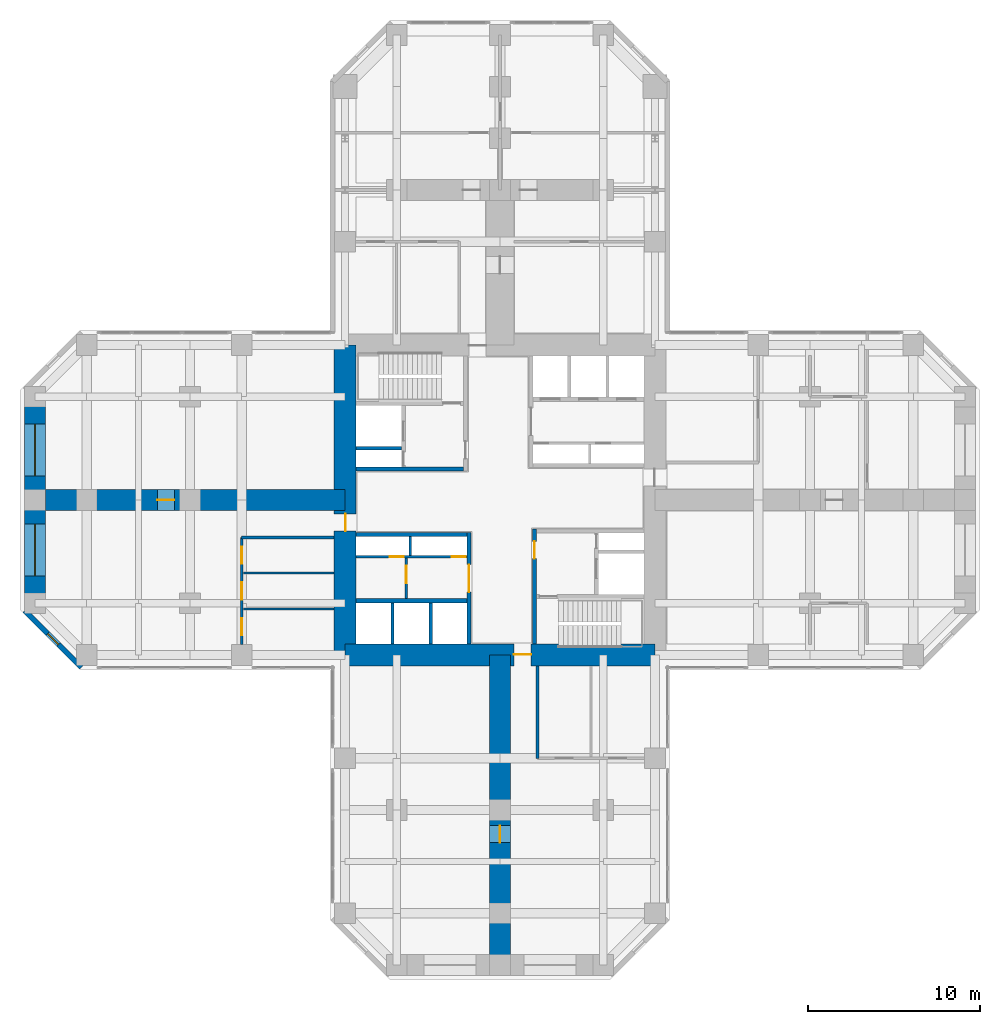
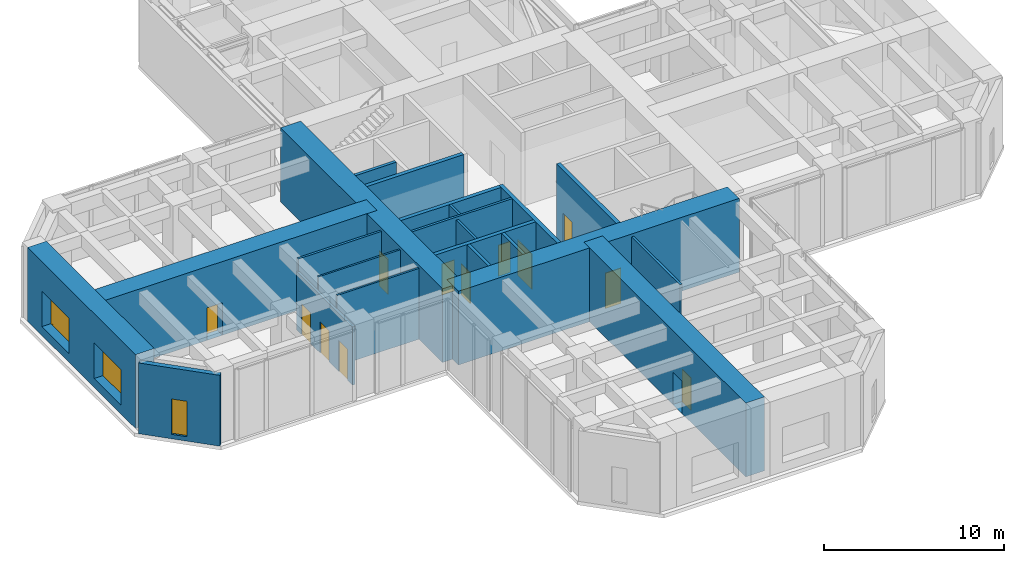
# One storey, part 7 of 11: 22 walls, 12 doors, 3 windows, 15 openings.
"""IFC4 building model written with IfcOpenShell, lengths in metres."""

from ifc_helpers import new_model, si_unit, direction, frame, frame_2d, origin, place, context, subcontext, project, spatial, rectangle, hollow_rectangle, extrude, material, layer, layer_set, constituent, constituent_set, type_object, element, fill, save


model = new_model("IFC4")

# Units and contexts
model_context = context("Model", 3, precision=1e-05, world=origin(), true_north=direction((0.0, 1.0)))
body_context = subcontext(model_context, "Body", "Model", "MODEL_VIEW")
ifc_project = project(units=[si_unit("LENGTHUNIT", "METRE"), si_unit("AREAUNIT", "SQUARE_METRE"), si_unit("VOLUMEUNIT", "CUBIC_METRE"), si_unit("PLANEANGLEUNIT", "RADIAN"), si_unit("MASSUNIT", "GRAM", prefix="KILO")], contexts=[model_context])

# Site, building, storey
site_placement = place(None, origin())
site = spatial("IfcSite", under=ifc_project, at=site_placement, CompositionType="ELEMENT")
building_placement = place(site_placement, origin())
building = spatial("IfcBuilding", under=site, at=building_placement, Name="Torre Cruceta", CompositionType="ELEMENT")
storey_placement = place(building_placement, frame((0.0, 0.0, 95.5)))
storey = spatial("IfcBuildingStorey", under=building, at=storey_placement, Name="L23", CompositionType="ELEMENT", Elevation=95.5)

# Wall
ifc_material_1 = material(Name="Concrete G60 (fck 60 MPa)", Category="concrete")
ifc_layer_1 = layer(ifc_material_1, 0.25)
ifc_layer_set_1 = layer_set([ifc_layer_1], Name="Concrete G60 (fck 60 MPa)")
wall_type_1 = type_object("IfcWallType", Name="CORE INNER WALL 250 G60", PredefinedType="SHEAR", material=ifc_layer_set_1)
wall_1_placement = place(storey_placement, frame((-2.125, 1.800048828125, 0.0), z_axis=(0.0, 0.0, 1.0), x_axis=(-1.0, 0.0, 0.0)))
element("IfcWall", 1, at=wall_1_placement, inside=storey, type_object=wall_type_1, Name="CW4 L23 NW-CV", PredefinedType="SHEAR", context=body_context, shape_type="SweptSolid", body=[
    extrude(rectangle(XDim=6.22509765625, YDim=0.25, at=frame_2d((3.112548828125, 0.0))), origin(), (0.0, 0.0, 1.0), 5.0),
])

# Wall, opening, door
wall_2_placement = place(storey_placement, frame((-1.800048828125, -1.875, 0.0), z_axis=(0.0, 0.0, 1.0), x_axis=(0.0, -1.0, 0.0)))
wall_2 = element("IfcWall", 2, at=wall_2_placement, inside=storey, type_object=wall_type_1, Name="CW4 L23 SW-CU", PredefinedType="SHEAR", context=body_context, shape_type="SweptSolid", body=[
    extrude(rectangle(XDim=6.47509765625, YDim=0.25, at=frame_2d((3.237548828125, 0.0))), origin(), (0.0, 0.0, 1.0), 5.0),
])
opening_1_placement = place(wall_2_placement, frame((1.875, 0.0, 0.0)))
opening_1 = element("IfcOpeningElement", 3, at=opening_1_placement, cuts=wall_2, Name="Opening D15", PredefinedType="OPENING", context=body_context, shape_type="SweptSolid", body=[
    extrude(rectangle(XDim=1.60009765625, YDim=2.39990234375, at=frame_2d((0.800048828125, 1.199951171875))), frame((0.0, 0.135009765625, 0.0), z_axis=(0.0, -1.0, 0.0), x_axis=(1.0, 0.0, 0.0)), (0.0, 0.0, 1.0), 0.27001953125),
])
ifc_material_2 = material(Name="Steel DX51D", Category="steel")
ifc_constituent_1 = constituent(ifc_material_2, Name="Leaf and frame")
ifc_material_3 = material(Name="Polyester powder coating", Category="paint")
ifc_constituent_2 = constituent(ifc_material_3, Name="Finish")
ifc_constituent_set_1 = constituent_set(constituents=[ifc_constituent_1, ifc_constituent_2], Name="Steel fire door")
door_type_1 = type_object("IfcDoorType", Name="CORE ROOM DOUBLE DOOR 1600X2400", OperationType="DOUBLE_DOOR_SINGLE_SWING", PredefinedType="DOOR", material=ifc_constituent_set_1)
door_1_placement = place(opening_1_placement, frame((1.60009765625, 0.0, 0.0), z_axis=(0.0, 0.0, 1.0), x_axis=(-1.0, 0.0, 0.0)))
door_1 = element("IfcDoor", 4, at=door_1_placement, inside=storey, type_object=door_type_1, Name="D15 L23 SW-LOBBY", OperationType="DOUBLE_DOOR_SINGLE_SWING", OverallHeight=2.39990234375, OverallWidth=1.60009765625, PredefinedType="DOOR", context=body_context, shape_type="SweptSolid", body=[
    extrude(rectangle(XDim=1.60009765625, YDim=2.39990234375, at=frame_2d((0.800048828125, 1.199951171875))), frame((0.0, 0.025146484375, 0.0), z_axis=(0.0, -1.0, 0.0), x_axis=(1.0, 0.0, 0.0)), (0.0, 0.0, 1.0), 0.050048828125),
])
fill(opening_1, door_1)

# Walls
for number, where, z_axis, x_axis, name in (
    (5, (-1.925048828125, -2.0, 0.0), (0.0, 0.0, 1.0), (-1.0, 0.0, 0.0), "CW4 L23 SW-CV"),
    (6, (-1.925048828125, -5.85009765625, 0.0), (0.0, 0.0, 1.0), (-1.0, 0.0, 0.0), "CW4 L23 SW-LV"),
):
    element("IfcWall", number, at=place(storey_placement, frame(where, z_axis=z_axis, x_axis=x_axis)), inside=storey, type_object=wall_type_1, Name=name, PredefinedType="SHEAR", context=body_context, shape_type="SweptSolid", body=[
        extrude(rectangle(XDim=6.425048828125, YDim=0.25, at=frame_2d((3.21240234375, 0.0))), origin(), (0.0, 0.0, 1.0), 5.0),
    ])

# Wall, opening, door
wall_3_placement = place(storey_placement, frame((2.0, -1.675048828125, 0.0), z_axis=(0.0, 0.0, 1.0), x_axis=(0.0, -1.0, 0.0)))
wall_3 = element("IfcWall", 7, at=wall_3_placement, inside=storey, type_object=wall_type_1, Name="CW4 L23 SE-CU", PredefinedType="SHEAR", context=body_context, shape_type="SweptSolid", body=[
    extrude(rectangle(XDim=6.675048828125, YDim=0.25, at=frame_2d((3.33740234375, 0.0))), origin(), (0.0, 0.0, 1.0), 5.0),
])
opening_2_placement = place(wall_3_placement, frame((0.72509765625, 0.0, 0.0)))
opening_2 = element("IfcOpeningElement", 8, at=opening_2_placement, cuts=wall_3, Name="Opening D3", PredefinedType="OPENING", context=body_context, shape_type="SweptSolid", body=[
    extrude(rectangle(XDim=1.0, YDim=2.10009765625, at=frame_2d((0.5, 1.050048828125))), frame((0.0, 0.135009765625, 0.0), z_axis=(0.0, -1.0, 0.0), x_axis=(1.0, 0.0, 0.0)), (0.0, 0.0, 1.0), 0.27001953125),
])
ifc_material_4 = material(Name="Steel DX51D", Category="steel")
ifc_constituent_3 = constituent(ifc_material_4, Name="Leaf and frame")
ifc_material_5 = material(Name="Polyester powder coating", Category="paint")
ifc_constituent_4 = constituent(ifc_material_5, Name="Finish")
ifc_constituent_set_2 = constituent_set(constituents=[ifc_constituent_3, ifc_constituent_4], Name="Steel fire door")
door_type_2 = type_object("IfcDoorType", Name="FIRE DOOR 1000X2100", OperationType="SINGLE_SWING_LEFT", PredefinedType="DOOR", material=ifc_constituent_set_2)
door_2_placement = place(opening_2_placement, origin())
door_2 = element("IfcDoor", 9, at=door_2_placement, inside=storey, type_object=door_type_2, Name="D3 L23 SE-LOBBY", OperationType="SINGLE_SWING_LEFT", OverallHeight=2.10009765625, OverallWidth=1.0, PredefinedType="DOOR", context=body_context, shape_type="SweptSolid", body=[
    extrude(rectangle(XDim=1.0, YDim=2.10009765625, at=frame_2d((0.5, 1.050048828125))), frame((0.0, 0.02490234375, 0.0), z_axis=(0.0, -1.0, 0.0), x_axis=(1.0, 0.0, 0.0)), (0.0, 0.0, 1.0), 0.050048828125),
])
fill(opening_2, door_2)

ifc_material_6 = material(Name="Concrete G60 (fck 60 MPa)", Category="concrete")
ifc_layer_2 = layer(ifc_material_6, 1.300048828125)
ifc_layer_set_2 = layer_set([ifc_layer_2], Name="Concrete G60 (fck 60 MPa)")
wall_type_2 = type_object("IfcWallType", Name="CORE WALL 1300 G60", PredefinedType="SHEAR", material=ifc_layer_set_2)
wall_4_placement = place(storey_placement, frame((-9.0, -9.0, 0.0), z_axis=(0.0, 0.0, 1.0), x_axis=(1.0, 0.0, 0.0)))
wall_4 = element("IfcWall", 10, at=wall_4_placement, inside=storey, type_object=wall_type_2, Name="CW1 L23 CW-S", PredefinedType="SHEAR", context=body_context, shape_type="SweptSolid", body=[
    extrude(rectangle(XDim=18.0, YDim=1.300048828125, at=frame_2d((9.0, 0.0))), origin(), (0.0, 0.0, 1.0), 5.0),
])
opening_3_placement = place(wall_4_placement, frame((9.800048828125, 0.0, 0.0)))
opening_3 = element("IfcOpeningElement", 11, at=opening_3_placement, cuts=wall_4, Name="Opening D4", PredefinedType="OPENING", context=body_context, shape_type="SweptSolid", body=[
    extrude(rectangle(XDim=1.0, YDim=2.39990234375, at=frame_2d((0.5, 1.199951171875))), frame((0.0, 0.659912109375, 0.0), z_axis=(0.0, -1.0, 0.0), x_axis=(1.0, 0.0, 0.0)), (0.0, 0.0, 1.0), 1.320068359375),
])
ifc_material_7 = material(Name="Steel DX51D", Category="steel")
ifc_constituent_5 = constituent(ifc_material_7, Name="Leaf and frame")
ifc_material_8 = material(Name="Polyester powder coating", Category="paint")
ifc_constituent_6 = constituent(ifc_material_8, Name="Finish")
ifc_constituent_set_3 = constituent_set(constituents=[ifc_constituent_5, ifc_constituent_6], Name="Steel fire door")
door_type_3 = type_object("IfcDoorType", Name="CORE ARM DOOR 1000X2400", OperationType="SINGLE_SWING_RIGHT", PredefinedType="DOOR", material=ifc_constituent_set_3)
door_3_placement = place(opening_3_placement, frame((1.0, 0.0, 0.0), z_axis=(0.0, 0.0, 1.0), x_axis=(-1.0, 0.0, 0.0)))
door_3 = element("IfcDoor", 12, at=door_3_placement, inside=storey, type_object=door_type_3, Name="D4 L23 CW-S", OperationType="SINGLE_SWING_RIGHT", OverallHeight=2.39990234375, OverallWidth=1.0, PredefinedType="DOOR", context=body_context, shape_type="SweptSolid", body=[
    extrude(rectangle(XDim=1.0, YDim=2.39990234375, at=frame_2d((0.5, 1.199951171875))), frame((0.0, -0.005126953125, 0.0), z_axis=(0.0, -1.0, 0.0), x_axis=(1.0, 0.0, 0.0)), (0.0, 0.0, 1.0), 0.050048828125),
])
fill(opening_3, door_3)

wall_5_placement = place(storey_placement, frame((-9.0, 9.0, 0.0), z_axis=(0.0, 0.0, 1.0), x_axis=(0.0, -1.0, 0.0)))
wall_5 = element("IfcWall", 13, at=wall_5_placement, inside=storey, type_object=wall_type_2, Name="CW1 L23 CW-W", PredefinedType="SHEAR", context=body_context, shape_type="SweptSolid", body=[
    extrude(rectangle(XDim=18.0, YDim=1.300048828125, at=frame_2d((9.0, 0.0))), origin(), (0.0, 0.0, 1.0), 5.0),
])
opening_4_placement = place(wall_5_placement, frame((9.800048828125, 0.0, 0.0)))
opening_4 = element("IfcOpeningElement", 14, at=opening_4_placement, cuts=wall_5, Name="Opening D4", PredefinedType="OPENING", context=body_context, shape_type="SweptSolid", body=[
    extrude(rectangle(XDim=1.0, YDim=2.39990234375, at=frame_2d((0.5, 1.199951171875))), frame((0.0, 0.659912109375, 0.0), z_axis=(0.0, -1.0, 0.0), x_axis=(1.0, 0.0, 0.0)), (0.0, 0.0, 1.0), 1.320068359375),
])
door_4_placement = place(opening_4_placement, frame((1.0, 0.0, 0.0), z_axis=(0.0, 0.0, 1.0), x_axis=(-1.0, 0.0, 0.0)))
door_4 = element("IfcDoor", 15, at=door_4_placement, inside=storey, type_object=door_type_3, Name="D4 L23 CW-W", OperationType="SINGLE_SWING_RIGHT", OverallHeight=2.39990234375, OverallWidth=1.0, PredefinedType="DOOR", context=body_context, shape_type="SweptSolid", body=[
    extrude(rectangle(XDim=1.0, YDim=2.39990234375, at=frame_2d((0.5, 1.199951171875))), frame((0.0, -0.005126953125, 0.0), z_axis=(0.0, -1.0, 0.0), x_axis=(1.0, 0.0, 0.0)), (0.0, 0.0, 1.0), 0.050048828125),
])
fill(opening_4, door_4)

# Wall, opening, window
ifc_material_9 = material(Name="Concrete G30 (fck 30 MPa)", Category="concrete")
ifc_layer_3 = layer(ifc_material_9, 0.300048828125)
ifc_layer_set_3 = layer_set([ifc_layer_3], Name="Concrete G30 (fck 30 MPa)")
wall_type_3 = type_object("IfcWallType", Name="EXPOSED CONCRETE FACADE WALL 300", PredefinedType="SOLIDWALL", material=ifc_layer_set_3)
wall_6_placement = place(storey_placement, frame((-27.60009765625, -6.418212890625, 0.0), z_axis=(0.0, 0.0, 1.0), x_axis=(0.707106781187, -0.707106781187, 0.0)))
wall_6 = element("IfcWall", 16, at=wall_6_placement, inside=storey, type_object=wall_type_3, Name="EW1 facade wall L23 W chamfer 13", PredefinedType="SOLIDWALL", context=body_context, shape_type="SweptSolid", body=[
    extrude(rectangle(XDim=4.66943359375, YDim=0.300048828125, at=frame_2d((2.334716796875, 0.0))), origin(), (0.0, 0.0, 1.0), 4.800048828125),
])
opening_5_placement = place(wall_6_placement, frame((1.884765625, 0.0, 0.300048828125)))
opening_5 = element("IfcOpeningElement", 17, at=opening_5_placement, cuts=wall_6, Name="Opening WN5", PredefinedType="OPENING", context=body_context, shape_type="SweptSolid", body=[
    extrude(rectangle(XDim=0.89990234375, YDim=2.39990234375, at=frame_2d((0.449951171875, 1.199951171875))), frame((0.0, 0.159912109375, 0.0), z_axis=(0.0, -1.0, 0.0), x_axis=(1.0, 0.0, 0.0)), (0.0, 0.0, 1.0), 0.320068359375),
])
ifc_material_10 = material(Name="Aluminium window frame", Category="aluminium")
ifc_constituent_7 = constituent(ifc_material_10, Name="Frame")
ifc_material_11 = material(Name="Laminated insulating glass unit, low-iron clear", Category="glass")
ifc_constituent_8 = constituent(ifc_material_11, Name="Glazing")
ifc_constituent_set_4 = constituent_set(constituents=[ifc_constituent_7, ifc_constituent_8], Name="Aluminium window")
window_type_1 = type_object("IfcWindowType", Name="CHAMFER SLOT WINDOW 900X2400", PartitioningType="SINGLE_PANEL", PredefinedType="WINDOW", material=ifc_constituent_set_4)
window_1_placement = place(opening_5_placement, origin())
window_1 = element("IfcWindow", 18, at=window_1_placement, inside=storey, type_object=window_type_1, Name="WN5 L23 W 1", OverallHeight=2.39990234375, OverallWidth=0.89990234375, PartitioningType="SINGLE_PANEL", PredefinedType="WINDOW", context=body_context, shape_type="SweptSolid", body=[
    extrude(hollow_rectangle(XDim=0.89990234375, YDim=2.39990234375, WallThickness=0.06005859375, at=frame_2d((0.449951171875, 1.199951171875))), frame((0.0, 0.030029296875, 0.0), z_axis=(0.0, -1.0, 0.0), x_axis=(1.0, 0.0, 0.0)), (0.0, 0.0, 1.0), 0.06005859375),
    extrude(rectangle(XDim=0.77880859375, YDim=2.27880859375, at=frame_2d((0.449951171875, 1.199951171875))), frame((0.0, 0.030029296875, 0.0), z_axis=(0.0, -1.0, 0.0), x_axis=(1.0, 0.0, 0.0)), (0.0, 0.0, 1.0), 0.06005859375),
])
fill(opening_5, window_1)

# Walls
ifc_material_12 = material(Name="Concrete G35 (fck 35 MPa)", Category="concrete")
ifc_layer_4 = layer(ifc_material_12, 0.199951171875)
ifc_layer_set_4 = layer_set([ifc_layer_4], Name="Concrete G35 (fck 35 MPa)")
wall_type_4 = type_object("IfcWallType", Name="LIFT SHAFT WALL 200", PredefinedType="PARTITIONING", material=ifc_layer_set_4)
wall_7_placement = place(storey_placement, frame((-5.72509765625, 3.0, 0.0), z_axis=(0.0, 0.0, 1.0), x_axis=(-1.0, 0.0, 0.0)))
element("IfcWall", 19, at=wall_7_placement, inside=storey, type_object=wall_type_4, Name="SW1 L23 NW-FR", PredefinedType="PARTITIONING", context=body_context, shape_type="SweptSolid", body=[
    extrude(rectangle(XDim=2.625, YDim=0.199951171875, at=frame_2d((1.3125, 0.0))), origin(), (0.0, 0.0, 1.0), 5.0),
])
for number, where, z_axis, x_axis, name in (
    (20, (-4.033447265625, -5.97509765625, 0.0), (0.0, 0.0, 1.0), (0.0, -1.0, 0.0), "SW1 L23 SW-LS1"),
    (21, (-6.24169921875, -5.97509765625, 0.0), (0.0, 0.0, 1.0), (0.0, -1.0, 0.0), "SW1 L23 SW-LS2"),
):
    element("IfcWall", number, at=place(storey_placement, frame(where, z_axis=z_axis, x_axis=x_axis)), inside=storey, type_object=wall_type_4, Name=name, PredefinedType="PARTITIONING", context=body_context, shape_type="SweptSolid", body=[
        extrude(rectangle(XDim=2.375, YDim=0.199951171875, at=frame_2d((1.1875, 0.0))), origin(), (0.0, 0.0, 1.0), 5.0),
    ])

# Wall, openings, windows
ifc_material_13 = material(Name="Concrete G60 (fck 60 MPa)", Category="concrete")
ifc_layer_5 = layer(ifc_material_13, 1.199951171875)
ifc_layer_set_5 = layer_set([ifc_layer_5], Name="Concrete G60 (fck 60 MPa)")
wall_type_5 = type_object("IfcWallType", Name="NOSE WALL 1200 G60", PredefinedType="SHEAR", material=ifc_layer_set_5)
wall_8_placement = place(storey_placement, frame((-27.0, 6.0, 0.0), z_axis=(0.0, 0.0, 1.0), x_axis=(0.0, -1.0, 0.0)))
wall_8 = element("IfcWall", 22, at=wall_8_placement, inside=storey, type_object=wall_type_5, Name="NW1 nose wall L23 W", PredefinedType="SHEAR", context=body_context, shape_type="SweptSolid", body=[
    extrude(rectangle(XDim=12.0, YDim=1.199951171875, at=frame_2d((6.0, 0.0))), origin(), (0.0, 0.0, 1.0), 5.0),
])
opening_6_placement = place(wall_8_placement, frame((1.60009765625, 0.0, 0.60009765625)))
opening_6 = element("IfcOpeningElement", 23, at=opening_6_placement, cuts=wall_8, Name="Opening WN6", PredefinedType="OPENING", context=body_context, shape_type="SweptSolid", body=[
    extrude(rectangle(XDim=3.0, YDim=2.39990234375, at=frame_2d((1.5, 1.199951171875))), frame((0.0, 0.60986328125, 0.0), z_axis=(0.0, -1.0, 0.0), x_axis=(1.0, 0.0, 0.0)), (0.0, 0.0, 1.0), 1.219970703125),
])
opening_7_placement = place(wall_8_placement, frame((7.39990234375, 0.0, 0.60009765625)))
opening_7 = element("IfcOpeningElement", 24, at=opening_7_placement, cuts=wall_8, Name="Opening WN6", PredefinedType="OPENING", context=body_context, shape_type="SweptSolid", body=[
    extrude(rectangle(XDim=3.0, YDim=2.39990234375, at=frame_2d((1.5, 1.199951171875))), frame((0.0, 0.60986328125, 0.0), z_axis=(0.0, -1.0, 0.0), x_axis=(1.0, 0.0, 0.0)), (0.0, 0.0, 1.0), 1.219970703125),
])
ifc_material_14 = material(Name="Aluminium window frame", Category="aluminium")
ifc_constituent_9 = constituent(ifc_material_14, Name="Frame")
ifc_material_15 = material(Name="Laminated insulating glass unit, low-iron clear", Category="glass")
ifc_constituent_10 = constituent(ifc_material_15, Name="Glazing")
ifc_constituent_set_5 = constituent_set(constituents=[ifc_constituent_9, ifc_constituent_10], Name="Aluminium window")
window_type_2 = type_object("IfcWindowType", Name="NOSE WALL WINDOW 3000X2400", PartitioningType="SINGLE_PANEL", PredefinedType="WINDOW", material=ifc_constituent_set_5)
window_2_placement = place(opening_6_placement, origin())
window_2 = element("IfcWindow", 25, at=window_2_placement, inside=storey, type_object=window_type_2, Name="WN6 L23 W 1", OverallHeight=2.39990234375, OverallWidth=3.0, PartitioningType="SINGLE_PANEL", PredefinedType="WINDOW", context=body_context, shape_type="SweptSolid", body=[
    extrude(hollow_rectangle(XDim=3.0, YDim=2.39990234375, WallThickness=0.06005859375, at=frame_2d((1.5, 1.199951171875))), frame((0.0, 0.030029296875, 0.0), z_axis=(0.0, -1.0, 0.0), x_axis=(1.0, 0.0, 0.0)), (0.0, 0.0, 1.0), 0.06005859375),
    extrude(rectangle(XDim=2.87890625, YDim=2.27880859375, at=frame_2d((1.5, 1.199951171875))), frame((0.0, 0.030029296875, 0.0), z_axis=(0.0, -1.0, 0.0), x_axis=(1.0, 0.0, 0.0)), (0.0, 0.0, 1.0), 0.06005859375),
])
fill(opening_6, window_2)
window_3_placement = place(opening_7_placement, origin())
window_3 = element("IfcWindow", 26, at=window_3_placement, inside=storey, type_object=window_type_2, Name="WN6 L23 W 2", OverallHeight=2.39990234375, OverallWidth=3.0, PartitioningType="SINGLE_PANEL", PredefinedType="WINDOW", context=body_context, shape_type="SweptSolid", body=[
    extrude(hollow_rectangle(XDim=3.0, YDim=2.39990234375, WallThickness=0.06005859375, at=frame_2d((1.5, 1.199951171875))), frame((0.0, 0.030029296875, 0.0), z_axis=(0.0, -1.0, 0.0), x_axis=(1.0, 0.0, 0.0)), (0.0, 0.0, 1.0), 0.06005859375),
    extrude(rectangle(XDim=2.87890625, YDim=2.27880859375, at=frame_2d((1.5, 1.199951171875))), frame((0.0, 0.030029296875, 0.0), z_axis=(0.0, -1.0, 0.0), x_axis=(1.0, 0.0, 0.0)), (0.0, 0.0, 1.0), 0.06005859375),
])
fill(opening_7, window_3)

# Wall, opening, door
ifc_material_16 = material(Name="Plasterboard on steel studs", Category="steel")
ifc_layer_6 = layer(ifc_material_16, 0.14990234375)
ifc_layer_set_6 = layer_set([ifc_layer_6], Name="Plasterboard on steel studs")
wall_type_6 = type_object("IfcWallType", Name="PARTITION 150", PredefinedType="PARTITIONING", material=ifc_layer_set_6)
wall_9_placement = place(storey_placement, frame((-5.449951171875, -3.375, 0.0), z_axis=(0.0, 0.0, 1.0), x_axis=(0.0, -1.0, 0.0)))
wall_9 = element("IfcWall", 27, at=wall_9_placement, inside=storey, type_object=wall_type_6, Name="PT1 L23-CORE-SW-X", PredefinedType="PARTITIONING", context=body_context, shape_type="SweptSolid", body=[
    extrude(rectangle(XDim=2.35009765625, YDim=0.14990234375, at=frame_2d((1.175048828125, 0.0))), origin(), (0.0, 0.0, 1.0), 4.800048828125),
])
opening_8_placement = place(wall_9_placement, frame((0.449951171875, 0.0, 0.0)))
opening_8 = element("IfcOpeningElement", 28, at=opening_8_placement, cuts=wall_9, Name="Opening D3", PredefinedType="OPENING", context=body_context, shape_type="SweptSolid", body=[
    extrude(rectangle(XDim=1.0, YDim=2.10009765625, at=frame_2d((0.5, 1.050048828125))), frame((0.0, 0.0849609375, 0.0), z_axis=(0.0, -1.0, 0.0), x_axis=(1.0, 0.0, 0.0)), (0.0, 0.0, 1.0), 0.169921875),
])
door_5_placement = place(opening_8_placement, frame((1.0, 0.0, 0.0), z_axis=(0.0, 0.0, 1.0), x_axis=(-1.0, 0.0, 0.0)))
door_5 = element("IfcDoor", 29, at=door_5_placement, inside=storey, type_object=door_type_2, Name="D3 L23-CORE-SW-X-D1", OperationType="SINGLE_SWING_RIGHT", OverallHeight=2.10009765625, OverallWidth=1.0, PredefinedType="DOOR", context=body_context, shape_type="SweptSolid", body=[
    extrude(rectangle(XDim=1.0, YDim=2.10009765625, at=frame_2d((0.5, 1.050048828125))), frame((0.0, 0.025146484375, 0.0), z_axis=(0.0, -1.0, 0.0), x_axis=(1.0, 0.0, 0.0)), (0.0, 0.0, 1.0), 0.050048828125),
])
fill(opening_8, door_5)

# Wall
wall_10_placement = place(storey_placement, frame((2.175048828125, -9.64990234375, 0.0), z_axis=(0.0, 0.0, 1.0), x_axis=(0.0, -1.0, 0.0)))
element("IfcWall", 30, at=wall_10_placement, inside=storey, type_object=wall_type_6, Name="PT1 L23-S-BSL", PredefinedType="PARTITIONING", context=body_context, shape_type="SweptSolid", body=[
    extrude(rectangle(XDim=5.35009765625, YDim=0.14990234375, at=frame_2d((2.675048828125, 0.0))), origin(), (0.0, 0.0, 1.0), 4.800048828125),
])

# Wall, openings, doors
wall_11_placement = place(storey_placement, frame((-15.0, -2.175048828125, 0.0), z_axis=(0.0, 0.0, 1.0), x_axis=(0.0, -1.0, 0.0)))
wall_11 = element("IfcWall", 31, at=wall_11_placement, inside=storey, type_object=wall_type_6, Name="PT1 L23-W-BFL", PredefinedType="PARTITIONING", context=body_context, shape_type="SweptSolid", body=[
    extrude(rectangle(XDim=6.224853515625, YDim=0.14990234375, at=frame_2d((3.1123046875, 0.0))), origin(), (0.0, 0.0, 1.0), 3.949951171875),
])
opening_9_placement = place(wall_11_placement, frame((0.53759765625, 0.0, 0.0)))
opening_9 = element("IfcOpeningElement", 32, at=opening_9_placement, cuts=wall_11, Name="Opening D3", PredefinedType="OPENING", context=body_context, shape_type="SweptSolid", body=[
    extrude(rectangle(XDim=1.0, YDim=2.10009765625, at=frame_2d((0.5, 1.050048828125))), frame((0.0, 0.0849609375, 0.0), z_axis=(0.0, -1.0, 0.0), x_axis=(1.0, 0.0, 0.0)), (0.0, 0.0, 1.0), 0.169921875),
])
opening_10_placement = place(wall_11_placement, frame((2.612548828125, 0.0, 0.0)))
opening_10 = element("IfcOpeningElement", 33, at=opening_10_placement, cuts=wall_11, Name="Opening D3", PredefinedType="OPENING", context=body_context, shape_type="SweptSolid", body=[
    extrude(rectangle(XDim=1.0, YDim=2.10009765625, at=frame_2d((0.5, 1.050048828125))), frame((0.0, 0.0849609375, 0.0), z_axis=(0.0, -1.0, 0.0), x_axis=(1.0, 0.0, 0.0)), (0.0, 0.0, 1.0), 0.169921875),
])
opening_11_placement = place(wall_11_placement, frame((4.6875, 0.0, 0.0)))
opening_11 = element("IfcOpeningElement", 34, at=opening_11_placement, cuts=wall_11, Name="Opening D3", PredefinedType="OPENING", context=body_context, shape_type="SweptSolid", body=[
    extrude(rectangle(XDim=1.0, YDim=2.10009765625, at=frame_2d((0.5, 1.050048828125))), frame((0.0, 0.0849609375, 0.0), z_axis=(0.0, -1.0, 0.0), x_axis=(1.0, 0.0, 0.0)), (0.0, 0.0, 1.0), 0.169921875),
])
door_6_placement = place(opening_9_placement, origin())
door_6 = element("IfcDoor", 35, at=door_6_placement, inside=storey, type_object=door_type_2, Name="D3 L23-W-BFL-D1", OperationType="SINGLE_SWING_LEFT", OverallHeight=2.10009765625, OverallWidth=1.0, PredefinedType="DOOR", context=body_context, shape_type="SweptSolid", body=[
    extrude(rectangle(XDim=1.0, YDim=2.10009765625, at=frame_2d((0.5, 1.050048828125))), frame((0.0, 0.02490234375, 0.0), z_axis=(0.0, -1.0, 0.0), x_axis=(1.0, 0.0, 0.0)), (0.0, 0.0, 1.0), 0.050048828125),
])
fill(opening_9, door_6)
door_7_placement = place(opening_10_placement, origin())
door_7 = element("IfcDoor", 36, at=door_7_placement, inside=storey, type_object=door_type_2, Name="D3 L23-W-BFL-D2", OperationType="SINGLE_SWING_LEFT", OverallHeight=2.10009765625, OverallWidth=1.0, PredefinedType="DOOR", context=body_context, shape_type="SweptSolid", body=[
    extrude(rectangle(XDim=1.0, YDim=2.10009765625, at=frame_2d((0.5, 1.050048828125))), frame((0.0, 0.02490234375, 0.0), z_axis=(0.0, -1.0, 0.0), x_axis=(1.0, 0.0, 0.0)), (0.0, 0.0, 1.0), 0.050048828125),
])
fill(opening_10, door_7)
door_8_placement = place(opening_11_placement, origin())
door_8 = element("IfcDoor", 37, at=door_8_placement, inside=storey, type_object=door_type_2, Name="D3 L23-W-BFL-D3", OperationType="SINGLE_SWING_LEFT", OverallHeight=2.10009765625, OverallWidth=1.0, PredefinedType="DOOR", context=body_context, shape_type="SweptSolid", body=[
    extrude(rectangle(XDim=1.0, YDim=2.10009765625, at=frame_2d((0.5, 1.050048828125))), frame((0.0, 0.02490234375, 0.0), z_axis=(0.0, -1.0, 0.0), x_axis=(1.0, 0.0, 0.0)), (0.0, 0.0, 1.0), 0.050048828125),
])
fill(opening_11, door_8)

# Wall
wall_12_placement = place(storey_placement, frame((-9.64990234375, -2.175048828125, 0.0), z_axis=(0.0, 0.0, 1.0), x_axis=(-1.0, 0.0, 0.0)))
element("IfcWall", 38, at=wall_12_placement, inside=storey, type_object=wall_type_6, Name="PT1 L23-W-BSL", PredefinedType="PARTITIONING", context=body_context, shape_type="SweptSolid", body=[
    extrude(rectangle(XDim=5.35009765625, YDim=0.14990234375, at=frame_2d((2.675048828125, 0.0))), origin(), (0.0, 0.0, 1.0), 4.800048828125),
])

# Wall, openings, doors
ifc_material_17 = material(Name="Concrete block masonry", Category="masonry")
ifc_layer_7 = layer(ifc_material_17, 0.14990234375)
ifc_layer_set_7 = layer_set([ifc_layer_7], Name="Concrete block masonry")
wall_type_7 = type_object("IfcWallType", Name="RISER WALL 150", PredefinedType="PARTITIONING", material=ifc_layer_set_7)
wall_13_placement = place(storey_placement, frame((-1.925048828125, -3.300048828125, 0.0), z_axis=(0.0, 0.0, 1.0), x_axis=(-1.0, 0.0, 0.0)))
wall_13 = element("IfcWall", 39, at=wall_13_placement, inside=storey, type_object=wall_type_7, Name="SW7 L23 SW-RV", PredefinedType="PARTITIONING", context=body_context, shape_type="SweptSolid", body=[
    extrude(rectangle(XDim=6.425048828125, YDim=0.14990234375, at=frame_2d((3.21240234375, 0.0))), origin(), (0.0, 0.0, 1.0), 5.0),
])
opening_12_placement = place(wall_13_placement, frame((0.074951171875, 0.0, 0.0)))
opening_12 = element("IfcOpeningElement", 40, at=opening_12_placement, cuts=wall_13, Name="Opening D5", PredefinedType="OPENING", context=body_context, shape_type="SweptSolid", body=[
    extrude(rectangle(XDim=0.800048828125, YDim=2.10009765625, at=frame_2d((0.39990234375, 1.050048828125))), frame((0.0, 0.0849609375, 0.0), z_axis=(0.0, -1.0, 0.0), x_axis=(1.0, 0.0, 0.0)), (0.0, 0.0, 1.0), 0.169921875),
])
opening_13_placement = place(wall_13_placement, frame((3.675048828125, 0.0, 0.0)))
opening_13 = element("IfcOpeningElement", 41, at=opening_13_placement, cuts=wall_13, Name="Opening D5", PredefinedType="OPENING", context=body_context, shape_type="SweptSolid", body=[
    extrude(rectangle(XDim=0.800048828125, YDim=2.10009765625, at=frame_2d((0.39990234375, 1.050048828125))), frame((0.0, 0.0849609375, 0.0), z_axis=(0.0, -1.0, 0.0), x_axis=(1.0, 0.0, 0.0)), (0.0, 0.0, 1.0), 0.169921875),
])
ifc_material_18 = material(Name="Steel DX51D", Category="steel")
ifc_constituent_11 = constituent(ifc_material_18, Name="Leaf and frame")
ifc_material_19 = material(Name="Polyester powder coating", Category="paint")
ifc_constituent_12 = constituent(ifc_material_19, Name="Finish")
ifc_constituent_set_6 = constituent_set(constituents=[ifc_constituent_11, ifc_constituent_12], Name="Steel fire door")
door_type_4 = type_object("IfcDoorType", Name="RISER ACCESS DOOR 800X2100", OperationType="SINGLE_SWING_LEFT", PredefinedType="DOOR", material=ifc_constituent_set_6)
door_9_placement = place(opening_12_placement, frame((0.800048828125, 0.0, 0.0), z_axis=(0.0, 0.0, 1.0), x_axis=(-1.0, 0.0, 0.0)))
door_9 = element("IfcDoor", 42, at=door_9_placement, inside=storey, type_object=door_type_4, Name="D5 L23 SW-RISER1", OperationType="SINGLE_SWING_RIGHT", OverallHeight=2.10009765625, OverallWidth=0.800048828125, PredefinedType="DOOR", context=body_context, shape_type="SweptSolid", body=[
    extrude(rectangle(XDim=0.800048828125, YDim=2.10009765625, at=frame_2d((0.400146484375, 1.050048828125))), frame((0.0, 0.025146484375, 0.0), z_axis=(0.0, -1.0, 0.0), x_axis=(1.0, 0.0, 0.0)), (0.0, 0.0, 1.0), 0.050048828125),
])
fill(opening_12, door_9)
door_10_placement = place(opening_13_placement, frame((0.800048828125, 0.0, 0.0), z_axis=(0.0, 0.0, 1.0), x_axis=(-1.0, 0.0, 0.0)))
door_10 = element("IfcDoor", 43, at=door_10_placement, inside=storey, type_object=door_type_4, Name="D5 L23 SW-RISER2", OperationType="SINGLE_SWING_RIGHT", OverallHeight=2.10009765625, OverallWidth=0.800048828125, PredefinedType="DOOR", context=body_context, shape_type="SweptSolid", body=[
    extrude(rectangle(XDim=0.800048828125, YDim=2.10009765625, at=frame_2d((0.400146484375, 1.050048828125))), frame((0.0, 0.025146484375, 0.0), z_axis=(0.0, -1.0, 0.0), x_axis=(1.0, 0.0, 0.0)), (0.0, 0.0, 1.0), 0.050048828125),
])
fill(opening_13, door_10)

# Wall
wall_14_placement = place(storey_placement, frame((-5.199951171875, -2.125, 0.0), z_axis=(0.0, 0.0, 1.0), x_axis=(0.0, -1.0, 0.0)))
element("IfcWall", 44, at=wall_14_placement, inside=storey, type_object=wall_type_7, Name="SW7 L23 SW-RU", PredefinedType="PARTITIONING", context=body_context, shape_type="SweptSolid", body=[
    extrude(rectangle(XDim=1.10009765625, YDim=0.14990234375, at=frame_2d((0.550048828125, 0.0))), origin(), (0.0, 0.0, 1.0), 5.0),
])

# Wall, opening, door
ifc_material_20 = material(Name="Concrete G60 (fck 60 MPa)", Category="concrete")
ifc_layer_8 = layer(ifc_material_20, 1.199951171875)
ifc_layer_set_8 = layer_set([ifc_layer_8], Name="Concrete G60 (fck 60 MPa)")
wall_type_8 = type_object("IfcWallType", Name="SPINE WALL 1200 G60", PredefinedType="SHEAR", material=ifc_layer_set_8)
wall_15_placement = place(storey_placement, frame((0.0, -9.0, 0.0), z_axis=(0.0, 0.0, 1.0), x_axis=(0.0, -1.0, 0.0)))
wall_15 = element("IfcWall", 45, at=wall_15_placement, inside=storey, type_object=wall_type_8, Name="SW3 spine wall L23 S", PredefinedType="SHEAR", context=body_context, shape_type="SweptSolid", body=[
    extrude(rectangle(XDim=18.0, YDim=1.199951171875, at=frame_2d((9.0, 0.0))), origin(), (0.0, 0.0, 1.0), 5.0),
])
opening_14_placement = place(wall_15_placement, frame((9.89990234375, 0.0, 0.0)))
opening_14 = element("IfcOpeningElement", 46, at=opening_14_placement, cuts=wall_15, Name="Opening D14", PredefinedType="OPENING", context=body_context, shape_type="SweptSolid", body=[
    extrude(rectangle(XDim=1.0, YDim=2.199951171875, at=frame_2d((0.5, 1.10009765625))), frame((0.0, 0.60986328125, 0.0), z_axis=(0.0, -1.0, 0.0), x_axis=(1.0, 0.0, 0.0)), (0.0, 0.0, 1.0), 1.219970703125),
])
ifc_material_21 = material(Name="Steel DX51D", Category="steel")
ifc_constituent_13 = constituent(ifc_material_21, Name="Leaf and frame")
ifc_material_22 = material(Name="Polyester powder coating", Category="paint")
ifc_constituent_14 = constituent(ifc_material_22, Name="Finish")
ifc_material_23 = material(Name="Fire-resisting glass", Category="glass")
ifc_constituent_15 = constituent(ifc_material_23, Name="Vision panel")
ifc_constituent_set_7 = constituent_set(constituents=[ifc_constituent_13, ifc_constituent_14, ifc_constituent_15], Name="Steel fire door with vision panel")
door_type_5 = type_object("IfcDoorType", Name="FIRE DOOR VISION PANEL 1000X2200", OperationType="SINGLE_SWING_RIGHT", PredefinedType="DOOR", material=ifc_constituent_set_7)
door_11_placement = place(opening_14_placement, origin())
door_11 = element("IfcDoor", 47, at=door_11_placement, inside=storey, type_object=door_type_5, Name="D14 L23-S-SP1", OperationType="SINGLE_SWING_RIGHT", OverallHeight=2.199951171875, OverallWidth=1.0, PredefinedType="DOOR", context=body_context, shape_type="SweptSolid", body=[
    extrude(rectangle(XDim=1.0, YDim=2.199951171875, at=frame_2d((0.5, 1.10009765625))), frame((0.0, 0.02490234375, 0.0), z_axis=(0.0, -1.0, 0.0), x_axis=(1.0, 0.0, 0.0)), (0.0, 0.0, 1.0), 0.050048828125),
])
fill(opening_14, door_11)

wall_16_placement = place(storey_placement, frame((-9.0, 0.0, 0.0), z_axis=(0.0, 0.0, 1.0), x_axis=(-1.0, 0.0, 0.0)))
wall_16 = element("IfcWall", 48, at=wall_16_placement, inside=storey, type_object=wall_type_8, Name="SW3 spine wall L23 W", PredefinedType="SHEAR", context=body_context, shape_type="SweptSolid", body=[
    extrude(rectangle(XDim=18.0, YDim=1.199951171875, at=frame_2d((9.0, 0.0))), origin(), (0.0, 0.0, 1.0), 5.0),
])
opening_15_placement = place(wall_16_placement, frame((9.89990234375, 0.0, 0.0)))
opening_15 = element("IfcOpeningElement", 49, at=opening_15_placement, cuts=wall_16, Name="Opening D14", PredefinedType="OPENING", context=body_context, shape_type="SweptSolid", body=[
    extrude(rectangle(XDim=1.0, YDim=2.199951171875, at=frame_2d((0.5, 1.10009765625))), frame((0.0, 0.60986328125, 0.0), z_axis=(0.0, -1.0, 0.0), x_axis=(1.0, 0.0, 0.0)), (0.0, 0.0, 1.0), 1.219970703125),
])
door_12_placement = place(opening_15_placement, origin())
door_12 = element("IfcDoor", 50, at=door_12_placement, inside=storey, type_object=door_type_5, Name="D14 L23-W-SP1", OperationType="SINGLE_SWING_RIGHT", OverallHeight=2.199951171875, OverallWidth=1.0, PredefinedType="DOOR", context=body_context, shape_type="SweptSolid", body=[
    extrude(rectangle(XDim=1.0, YDim=2.199951171875, at=frame_2d((0.5, 1.10009765625))), frame((0.0, 0.02490234375, 0.0), z_axis=(0.0, -1.0, 0.0), x_axis=(1.0, 0.0, 0.0)), (0.0, 0.0, 1.0), 0.050048828125),
])
fill(opening_15, door_12)

# Walls
ifc_material_24 = material(Name="Plasterboard on steel studs", Category="steel")
ifc_layer_9 = layer(ifc_material_24, 0.1201171875)
ifc_layer_set_9 = layer_set([ifc_layer_9], Name="Plasterboard on steel studs")
wall_type_9 = type_object("IfcWallType", Name="WC PARTITION 120", PredefinedType="PLUMBINGWALL", material=ifc_layer_set_9)
for number, where, z_axis, x_axis, name in (
    (51, (-9.64990234375, -4.25, 0.0), (0.0, 0.0, 1.0), (-1.0, 0.0, 0.0), "PT5 L23-W-BDL1"),
    (52, (-9.64990234375, -6.324951171875, 0.0), (0.0, 0.0, 1.0), (-1.0, 0.0, 0.0), "PT5 L23-W-BDL2"),
):
    element("IfcWall", number, at=place(storey_placement, frame(where, z_axis=z_axis, x_axis=x_axis)), inside=storey, type_object=wall_type_9, Name=name, PredefinedType="PLUMBINGWALL", context=body_context, shape_type="SweptSolid", body=[
        extrude(rectangle(XDim=5.25, YDim=0.1201171875, at=frame_2d((2.625, 0.0))), origin(), (0.0, 0.0, 1.0), 4.800048828125),
    ])

save(model, "model.ifc")
